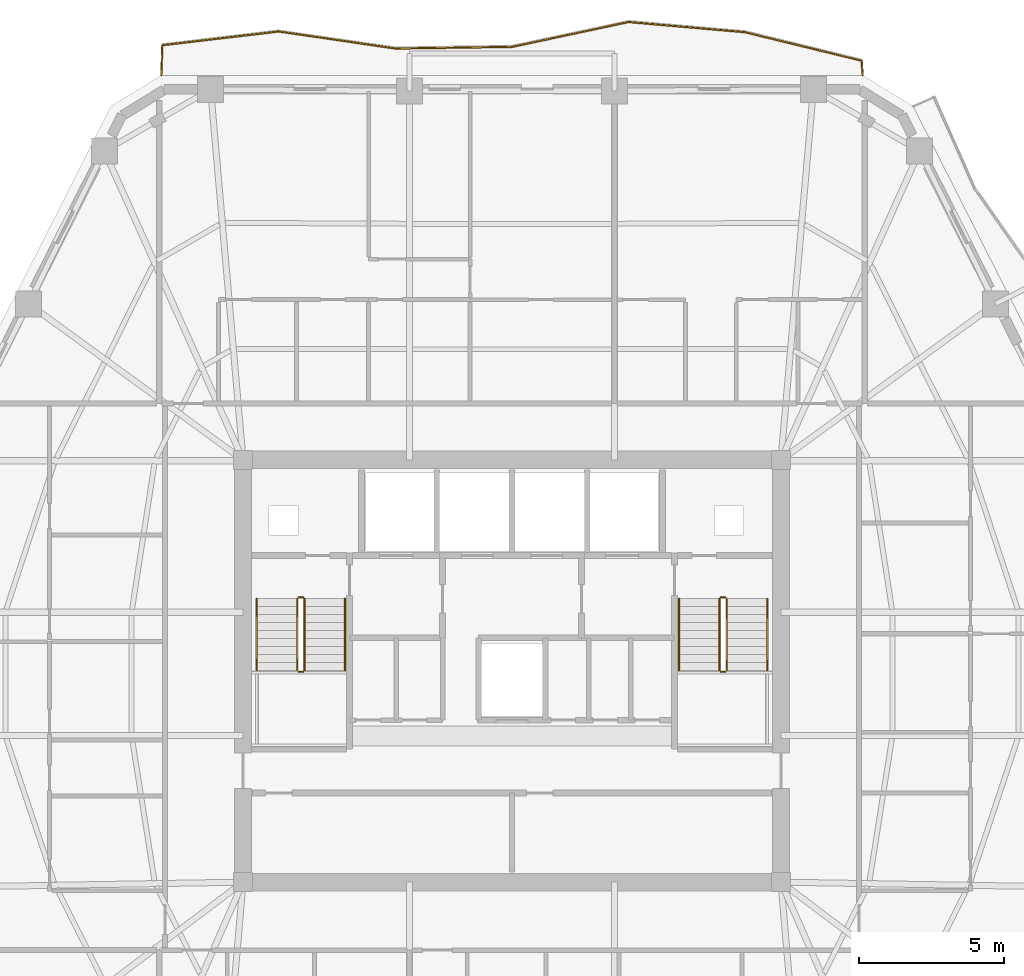
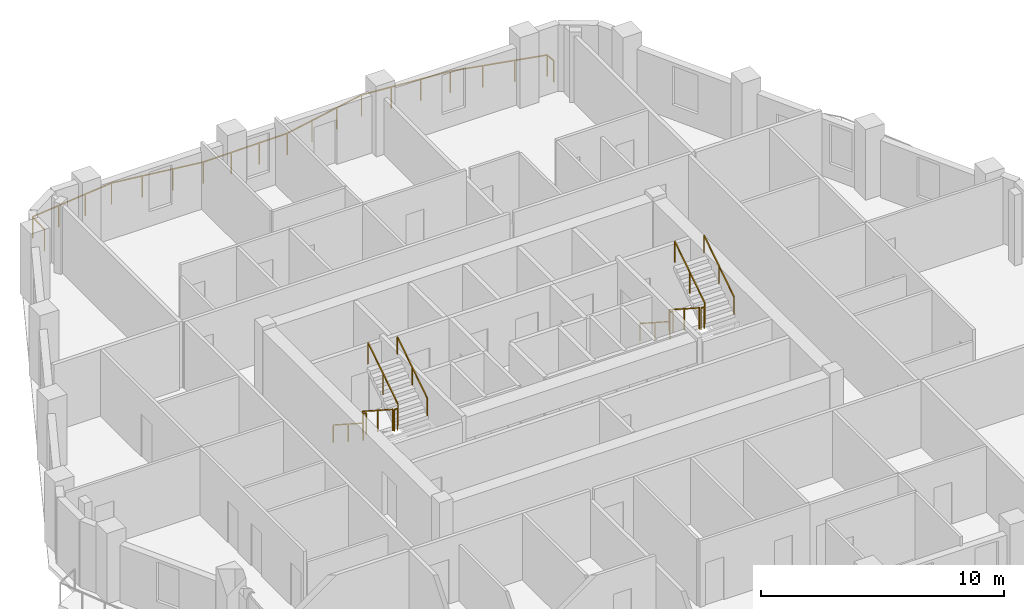
# One storey, part 10 of 11: 13 railings.
"""IFC4 building model written with IfcOpenShell, lengths in metres."""

from ifc_helpers import new_model, si_unit, direction, frame, origin, origin_2d, place, context, subcontext, project, spatial, rectangle, extrude, material, type_object, element, save


model = new_model("IFC4")

# Units and contexts
model_context = context("Model", 3, precision=1e-05, world=origin(), true_north=direction((0.0, 1.0)))
body_context = subcontext(model_context, "Body", "Model", "MODEL_VIEW")
ifc_project = project(units=[si_unit("LENGTHUNIT", "METRE"), si_unit("AREAUNIT", "SQUARE_METRE"), si_unit("VOLUMEUNIT", "CUBIC_METRE"), si_unit("PLANEANGLEUNIT", "RADIAN"), si_unit("MASSUNIT", "GRAM", prefix="KILO")], contexts=[model_context])

# Site, building, storey
site_placement = place(None, origin())
site = spatial("IfcSite", under=ifc_project, at=site_placement, CompositionType="ELEMENT")
building_placement = place(site_placement, origin())
building = spatial("IfcBuilding", under=site, at=building_placement, Name="Cinnabar Lancet Tower", CompositionType="ELEMENT")
storey_placement = place(building_placement, frame((0.0, 0.0, 175.449951171875)))
storey = spatial("IfcBuildingStorey", under=building, at=storey_placement, Name="L46", CompositionType="ELEMENT", Elevation=175.449951171875)

# Railings
ifc_material_1 = material(Name="Laminated safety glass and bronze stainless steel balustrade", Category="steel")
railing_type_1 = type_object("IfcRailingType", Name="ENV-RLG-BAL-1100", PredefinedType="BALUSTRADE", material=ifc_material_1)
railing_1_placement = place(storey_placement, frame((44.528076171875, 46.5, 0.0)))
element("IfcRailing", 1, at=railing_1_placement, inside=storey, type_object=railing_type_1, Name="L46 Face 4 Wave Balcony Balustrade", PredefinedType="BALUSTRADE", context=body_context, shape_type="SweptSolid", body=[
    extrude(rectangle(XDim=0.048095703125, YDim=0.048095703125, at=origin_2d()), frame((0.0, 0.0, 1.076171875), z_axis=(-0.069598262849, 0.997575100836, 0.0), x_axis=(-0.997575100836, -0.069598262849, 0.0)), (0.0, 0.0, 1.0), 0.505126953125),
    extrude(rectangle(XDim=0.048095703125, YDim=0.048095703125, at=origin_2d()), frame((-0.03515625, 0.50390625, 1.076171875), z_axis=(-0.971371866242, 0.237564091296, 0.0), x_axis=(-0.237564091296, -0.971371866242, 0.0)), (0.0, 0.0, 1.0), 4.15087890625),
    extrude(rectangle(XDim=0.048095703125, YDim=0.048095703125, at=origin_2d()), frame((-4.067138671875, 1.489990234375, 1.076171875), z_axis=(-0.996185131452, 0.087265020905, 0.0), x_axis=(-0.087265020905, -0.996185131452, 0.0)), (0.0, 0.0, 1.0), 4.04541015625),
    extrude(rectangle(XDim=0.048095703125, YDim=0.048095703125, at=origin_2d()), frame((-8.09716796875, 1.843017578125, 1.076171875), z_axis=(-0.977984939423, -0.20867548553, 0.0), x_axis=(0.20867548553, -0.977984939423, 0.0)), (0.0, 0.0, 1.0), 4.121826171875),
    extrude(rectangle(XDim=0.048095703125, YDim=0.048095703125, at=origin_2d()), frame((-12.128173828125, 0.98291015625, 1.076171875), z_axis=(-0.999900383044, -0.014114672801, 0.0), x_axis=(0.014114672801, -0.999900383044, 0.0)), (0.0, 0.0, 1.0), 4.0302734375),
    extrude(rectangle(XDim=0.048095703125, YDim=0.048095703125, at=origin_2d()), frame((-16.157958984375, 0.926025390625, 1.076171875), z_axis=(-0.98945457134, 0.144843540605, 0.0), x_axis=(-0.144843540605, -0.98945457134, 0.0)), (0.0, 0.0, 1.0), 4.073974609375),
    extrude(rectangle(XDim=0.048095703125, YDim=0.048095703125, at=origin_2d()), frame((-20.18896484375, 1.51611328125, 1.076171875), z_axis=(-0.993105392417, -0.117224910122, 0.0), x_axis=(0.117224910122, -0.993105392417, 0.0)), (0.0, 0.0, 1.0), 4.061279296875),
    extrude(rectangle(XDim=0.048095703125, YDim=0.048095703125, at=origin_2d()), frame((-24.22216796875, 1.0400390625, 1.076171875), z_axis=(-0.032611752407, -0.999468095341, 0.0), x_axis=(0.999468095341, -0.032611752407, 0.0)), (0.0, 0.0, 1.0), 1.04052734375),
    extrude(rectangle(XDim=0.0419921875, YDim=0.0419921875, at=origin_2d()), origin(), (0.0, 0.0, 1.0), 1.052001953125),
    extrude(rectangle(XDim=0.0419921875, YDim=0.0419921875, at=origin_2d()), frame((-0.03515625, 0.50390625, 0.0)), (0.0, 0.0, 1.0), 1.052001953125),
    extrude(rectangle(XDim=0.0419921875, YDim=0.0419921875, at=origin_2d()), frame((-1.379150390625, 0.83251953125, 0.0)), (0.0, 0.0, 1.0), 1.052001953125),
    extrude(rectangle(XDim=0.0419921875, YDim=0.0419921875, at=origin_2d()), frame((-2.72314453125, 1.161376953125, 0.0)), (0.0, 0.0, 1.0), 1.052001953125),
    extrude(rectangle(XDim=0.0419921875, YDim=0.0419921875, at=origin_2d()), frame((-4.067138671875, 1.489990234375, 0.0)), (0.0, 0.0, 1.0), 1.052001953125),
    extrude(rectangle(XDim=0.0419921875, YDim=0.0419921875, at=origin_2d()), frame((-5.410400390625, 1.607666015625, 0.0)), (0.0, 0.0, 1.0), 1.052001953125),
    extrude(rectangle(XDim=0.0419921875, YDim=0.0419921875, at=origin_2d()), frame((-6.75390625, 1.725341796875, 0.0)), (0.0, 0.0, 1.0), 1.052001953125),
    extrude(rectangle(XDim=0.0419921875, YDim=0.0419921875, at=origin_2d()), frame((-8.09716796875, 1.843017578125, 0.0)), (0.0, 0.0, 1.0), 1.052001953125),
    extrude(rectangle(XDim=0.0419921875, YDim=0.0419921875, at=origin_2d()), frame((-9.44091796875, 1.556396484375, 0.0)), (0.0, 0.0, 1.0), 1.052001953125),
    extrude(rectangle(XDim=0.0419921875, YDim=0.0419921875, at=origin_2d()), frame((-10.784423828125, 1.26953125, 0.0)), (0.0, 0.0, 1.0), 1.052001953125),
    extrude(rectangle(XDim=0.0419921875, YDim=0.0419921875, at=origin_2d()), frame((-12.128173828125, 0.98291015625, 0.0)), (0.0, 0.0, 1.0), 1.052001953125),
    extrude(rectangle(XDim=0.0419921875, YDim=0.0419921875, at=origin_2d()), frame((-13.471435546875, 0.9638671875, 0.0)), (0.0, 0.0, 1.0), 1.052001953125),
    extrude(rectangle(XDim=0.0419921875, YDim=0.0419921875, at=origin_2d()), frame((-14.814697265625, 0.945068359375, 0.0)), (0.0, 0.0, 1.0), 1.052001953125),
    extrude(rectangle(XDim=0.0419921875, YDim=0.0419921875, at=origin_2d()), frame((-16.157958984375, 0.926025390625, 0.0)), (0.0, 0.0, 1.0), 1.052001953125),
    extrude(rectangle(XDim=0.0419921875, YDim=0.0419921875, at=origin_2d()), frame((-17.501708984375, 1.122802734375, 0.0)), (0.0, 0.0, 1.0), 1.052001953125),
    extrude(rectangle(XDim=0.0419921875, YDim=0.0419921875, at=origin_2d()), frame((-18.84521484375, 1.3193359375, 0.0)), (0.0, 0.0, 1.0), 1.052001953125),
    extrude(rectangle(XDim=0.0419921875, YDim=0.0419921875, at=origin_2d()), frame((-20.18896484375, 1.51611328125, 0.0)), (0.0, 0.0, 1.0), 1.052001953125),
    extrude(rectangle(XDim=0.0419921875, YDim=0.0419921875, at=origin_2d()), frame((-21.533447265625, 1.357421875, 0.0)), (0.0, 0.0, 1.0), 1.052001953125),
    extrude(rectangle(XDim=0.0419921875, YDim=0.0419921875, at=origin_2d()), frame((-22.877685546875, 1.19873046875, 0.0)), (0.0, 0.0, 1.0), 1.052001953125),
    extrude(rectangle(XDim=0.0419921875, YDim=0.0419921875, at=origin_2d()), frame((-24.22216796875, 1.0400390625, 0.0)), (0.0, 0.0, 1.0), 1.052001953125),
    extrude(rectangle(XDim=0.0419921875, YDim=0.0419921875, at=origin_2d()), frame((-24.256103515625, 0.0, 0.0)), (0.0, 0.0, 1.0), 1.052001953125),
])
ifc_material_2 = material(Name="Painted galvanized steel balustrade", Category="steel")
railing_type_2 = type_object("IfcRailingType", Name="GUARD-STAIR", PredefinedType="GUARDRAIL", material=ifc_material_2)
railing_2_placement = place(storey_placement, frame((24.97509765625, 28.39990234375, 0.177490234375)))
element("IfcRailing", 2, at=railing_2_placement, inside=storey, type_object=railing_type_2, Name="L46 ST-1 stair guard 1", PredefinedType="GUARDRAIL", context=body_context, shape_type="SweptSolid", body=[
    extrude(rectangle(XDim=0.048095703125, YDim=0.048095703125, at=origin_2d()), frame((0.0, 0.0, 1.076171875), z_axis=(0.0, -0.84014559416, 0.542360932049), x_axis=(1.0, 0.0, 0.0)), (0.0, 0.0, 1.0), 2.94580078125),
    extrude(rectangle(XDim=0.0419921875, YDim=0.0419921875, at=origin_2d()), origin(), (0.0, 0.0, 1.0), 1.052001953125),
    extrude(rectangle(XDim=0.0419921875, YDim=0.0419921875, at=origin_2d()), frame((0.0, -1.2373046875, 0.798828125)), (0.0, 0.0, 1.0), 1.052001953125),
    extrude(rectangle(XDim=0.0419921875, YDim=0.0419921875, at=origin_2d()), frame((0.0, -2.474853515625, 1.59765625)), (0.0, 0.0, 1.0), 1.052001953125),
])
railing_3_placement = place(storey_placement, frame((25.02490234375, 25.875, 1.775146484375)))
element("IfcRailing", 3, at=railing_3_placement, inside=storey, type_object=railing_type_2, Name="L46 ST-1 stair guard 2", PredefinedType="GUARDRAIL", context=body_context, shape_type="SweptSolid", body=[
    extrude(rectangle(XDim=0.048095703125, YDim=0.048095703125, at=origin_2d()), frame((0.0, 0.0, 1.076171875), z_axis=(1.0, 0.0, 0.0), x_axis=(0.0, 1.0, 0.0)), (0.0, 0.0, 1.0), 0.150146484375),
    extrude(rectangle(XDim=0.0419921875, YDim=0.0419921875, at=origin_2d()), origin(), (0.0, 0.0, 1.0), 1.052001953125),
    extrude(rectangle(XDim=0.0419921875, YDim=0.0419921875, at=origin_2d()), frame((0.150146484375, 0.0, 0.0)), (0.0, 0.0, 1.0), 1.052001953125),
])
railing_4_placement = place(storey_placement, frame((25.22509765625, 25.925048828125, 1.95263671875)))
element("IfcRailing", 4, at=railing_4_placement, inside=storey, type_object=railing_type_2, Name="L46 ST-1 stair guard 3", PredefinedType="GUARDRAIL", context=body_context, shape_type="SweptSolid", body=[
    extrude(rectangle(XDim=0.048095703125, YDim=0.048095703125, at=origin_2d()), frame((0.0, 0.0, 1.076171875), z_axis=(0.0, 0.840183358697, 0.542302428327), x_axis=(-1.0, 0.0, 0.0)), (0.0, 0.0, 1.0), 2.945556640625),
    extrude(rectangle(XDim=0.0419921875, YDim=0.0419921875, at=origin_2d()), origin(), (0.0, 0.0, 1.0), 1.052001953125),
    extrude(rectangle(XDim=0.0419921875, YDim=0.0419921875, at=origin_2d()), frame((0.0, 1.2373046875, 0.798828125)), (0.0, 0.0, 1.0), 1.052001953125),
    extrude(rectangle(XDim=0.0419921875, YDim=0.0419921875, at=origin_2d()), frame((0.0, 2.474853515625, 1.597412109375)), (0.0, 0.0, 1.0), 1.052001953125),
])
railing_5_placement = place(storey_placement, frame((25.02490234375, 28.449951171875, 0.0)))
element("IfcRailing", 5, at=railing_5_placement, inside=storey, type_object=railing_type_2, Name="L46 ST-1 stair guard 4", PredefinedType="GUARDRAIL", context=body_context, shape_type="SweptSolid", body=[
    extrude(rectangle(XDim=0.048095703125, YDim=0.048095703125, at=origin_2d()), frame((0.0, 0.0, 1.076171875), z_axis=(1.0, 0.0, 0.0), x_axis=(0.0, 1.0, 0.0)), (0.0, 0.0, 1.0), 0.150146484375),
    extrude(rectangle(XDim=0.0419921875, YDim=0.0419921875, at=origin_2d()), origin(), (0.0, 0.0, 1.0), 1.052001953125),
    extrude(rectangle(XDim=0.0419921875, YDim=0.0419921875, at=origin_2d()), frame((0.150146484375, 0.0, 0.0)), (0.0, 0.0, 1.0), 1.052001953125),
])
railing_6_placement = place(storey_placement, frame((39.574951171875, 28.39990234375, 0.177490234375)))
element("IfcRailing", 6, at=railing_6_placement, inside=storey, type_object=railing_type_2, Name="L46 ST-2 stair guard 1", PredefinedType="GUARDRAIL", context=body_context, shape_type="SweptSolid", body=[
    extrude(rectangle(XDim=0.048095703125, YDim=0.048095703125, at=origin_2d()), frame((0.0, 0.0, 1.076171875), z_axis=(0.0, -0.84014559416, 0.542360932049), x_axis=(1.0, 0.0, 0.0)), (0.0, 0.0, 1.0), 2.94580078125),
    extrude(rectangle(XDim=0.0419921875, YDim=0.0419921875, at=origin_2d()), origin(), (0.0, 0.0, 1.0), 1.052001953125),
    extrude(rectangle(XDim=0.0419921875, YDim=0.0419921875, at=origin_2d()), frame((0.0, -1.2373046875, 0.798828125)), (0.0, 0.0, 1.0), 1.052001953125),
    extrude(rectangle(XDim=0.0419921875, YDim=0.0419921875, at=origin_2d()), frame((0.0, -2.474853515625, 1.59765625)), (0.0, 0.0, 1.0), 1.052001953125),
])
railing_7_placement = place(storey_placement, frame((39.625, 25.875, 1.775146484375)))
element("IfcRailing", 7, at=railing_7_placement, inside=storey, type_object=railing_type_2, Name="L46 ST-2 stair guard 2", PredefinedType="GUARDRAIL", context=body_context, shape_type="SweptSolid", body=[
    extrude(rectangle(XDim=0.048095703125, YDim=0.048095703125, at=origin_2d()), frame((0.0, 0.0, 1.076171875), z_axis=(1.0, 0.0, 0.0), x_axis=(0.0, 1.0, 0.0)), (0.0, 0.0, 1.0), 0.14990234375),
    extrude(rectangle(XDim=0.0419921875, YDim=0.0419921875, at=origin_2d()), origin(), (0.0, 0.0, 1.0), 1.052001953125),
    extrude(rectangle(XDim=0.0419921875, YDim=0.0419921875, at=origin_2d()), frame((0.14990234375, 0.0, 0.0)), (0.0, 0.0, 1.0), 1.052001953125),
])
railing_8_placement = place(storey_placement, frame((39.824951171875, 25.925048828125, 1.95263671875)))
element("IfcRailing", 8, at=railing_8_placement, inside=storey, type_object=railing_type_2, Name="L46 ST-2 stair guard 3", PredefinedType="GUARDRAIL", context=body_context, shape_type="SweptSolid", body=[
    extrude(rectangle(XDim=0.048095703125, YDim=0.048095703125, at=origin_2d()), frame((0.0, 0.0, 1.076171875), z_axis=(0.0, 0.840183358697, 0.542302428327), x_axis=(-1.0, 0.0, 0.0)), (0.0, 0.0, 1.0), 2.945556640625),
    extrude(rectangle(XDim=0.0419921875, YDim=0.0419921875, at=origin_2d()), origin(), (0.0, 0.0, 1.0), 1.052001953125),
    extrude(rectangle(XDim=0.0419921875, YDim=0.0419921875, at=origin_2d()), frame((0.0, 1.2373046875, 0.798828125)), (0.0, 0.0, 1.0), 1.052001953125),
    extrude(rectangle(XDim=0.0419921875, YDim=0.0419921875, at=origin_2d()), frame((0.0, 2.474853515625, 1.597412109375)), (0.0, 0.0, 1.0), 1.052001953125),
])
railing_9_placement = place(storey_placement, frame((39.625, 28.449951171875, 0.0)))
element("IfcRailing", 9, at=railing_9_placement, inside=storey, type_object=railing_type_2, Name="L46 ST-2 stair guard 4", PredefinedType="GUARDRAIL", context=body_context, shape_type="SweptSolid", body=[
    extrude(rectangle(XDim=0.048095703125, YDim=0.048095703125, at=origin_2d()), frame((0.0, 0.0, 1.076171875), z_axis=(1.0, 0.0, 0.0), x_axis=(0.0, 1.0, 0.0)), (0.0, 0.0, 1.0), 0.14990234375),
    extrude(rectangle(XDim=0.0419921875, YDim=0.0419921875, at=origin_2d()), origin(), (0.0, 0.0, 1.0), 1.052001953125),
    extrude(rectangle(XDim=0.0419921875, YDim=0.0419921875, at=origin_2d()), frame((0.14990234375, 0.0, 0.0)), (0.0, 0.0, 1.0), 1.052001953125),
])
ifc_material_3 = material(Name="Brushed stainless steel handrail", Category="steel")
railing_type_3 = type_object("IfcRailingType", Name="HANDRAIL-STAIR", PredefinedType="HANDRAIL", material=ifc_material_3)
railing_10_placement = place(storey_placement, frame((23.574951171875, 28.39990234375, 0.177490234375)))
element("IfcRailing", 10, at=railing_10_placement, inside=storey, type_object=railing_type_3, Name="L46 ST-1 stair handrail 1", PredefinedType="HANDRAIL", context=body_context, shape_type="SweptSolid", body=[
    extrude(rectangle(XDim=0.048095703125, YDim=0.048095703125, at=origin_2d()), frame((0.0, 0.0, 0.8759765625), z_axis=(0.0, -0.84014559416, 0.542360932049), x_axis=(1.0, 0.0, 0.0)), (0.0, 0.0, 1.0), 2.94580078125),
    extrude(rectangle(XDim=0.0419921875, YDim=0.0419921875, at=origin_2d()), origin(), (0.0, 0.0, 1.0), 0.851806640625),
    extrude(rectangle(XDim=0.0419921875, YDim=0.0419921875, at=origin_2d()), frame((0.0, -1.2373046875, 0.798828125)), (0.0, 0.0, 1.0), 0.851806640625),
    extrude(rectangle(XDim=0.0419921875, YDim=0.0419921875, at=origin_2d()), frame((0.0, -2.474853515625, 1.59765625)), (0.0, 0.0, 1.0), 0.851806640625),
])
railing_11_placement = place(storey_placement, frame((26.625, 25.925048828125, 1.95263671875)))
element("IfcRailing", 11, at=railing_11_placement, inside=storey, type_object=railing_type_3, Name="L46 ST-1 stair handrail 2", PredefinedType="HANDRAIL", context=body_context, shape_type="SweptSolid", body=[
    extrude(rectangle(XDim=0.048095703125, YDim=0.048095703125, at=origin_2d()), frame((0.0, 0.0, 0.8759765625), z_axis=(0.0, 0.840183358697, 0.542302428327), x_axis=(-1.0, 0.0, 0.0)), (0.0, 0.0, 1.0), 2.945556640625),
    extrude(rectangle(XDim=0.0419921875, YDim=0.0419921875, at=origin_2d()), origin(), (0.0, 0.0, 1.0), 0.851806640625),
    extrude(rectangle(XDim=0.0419921875, YDim=0.0419921875, at=origin_2d()), frame((0.0, 1.2373046875, 0.798828125)), (0.0, 0.0, 1.0), 0.851806640625),
    extrude(rectangle(XDim=0.0419921875, YDim=0.0419921875, at=origin_2d()), frame((0.0, 2.474853515625, 1.597412109375)), (0.0, 0.0, 1.0), 0.851806640625),
])
railing_12_placement = place(storey_placement, frame((38.175048828125, 28.39990234375, 0.177490234375)))
element("IfcRailing", 12, at=railing_12_placement, inside=storey, type_object=railing_type_3, Name="L46 ST-2 stair handrail 1", PredefinedType="HANDRAIL", context=body_context, shape_type="SweptSolid", body=[
    extrude(rectangle(XDim=0.048095703125, YDim=0.048095703125, at=origin_2d()), frame((0.0, 0.0, 0.8759765625), z_axis=(0.0, -0.84014559416, 0.542360932049), x_axis=(1.0, 0.0, 0.0)), (0.0, 0.0, 1.0), 2.94580078125),
    extrude(rectangle(XDim=0.0419921875, YDim=0.0419921875, at=origin_2d()), origin(), (0.0, 0.0, 1.0), 0.851806640625),
    extrude(rectangle(XDim=0.0419921875, YDim=0.0419921875, at=origin_2d()), frame((0.0, -1.2373046875, 0.798828125)), (0.0, 0.0, 1.0), 0.851806640625),
    extrude(rectangle(XDim=0.0419921875, YDim=0.0419921875, at=origin_2d()), frame((0.0, -2.474853515625, 1.59765625)), (0.0, 0.0, 1.0), 0.851806640625),
])
railing_13_placement = place(storey_placement, frame((41.22509765625, 25.925048828125, 1.95263671875)))
element("IfcRailing", 13, at=railing_13_placement, inside=storey, type_object=railing_type_3, Name="L46 ST-2 stair handrail 2", PredefinedType="HANDRAIL", context=body_context, shape_type="SweptSolid", body=[
    extrude(rectangle(XDim=0.048095703125, YDim=0.048095703125, at=origin_2d()), frame((0.0, 0.0, 0.8759765625), z_axis=(0.0, 0.840183358697, 0.542302428327), x_axis=(-1.0, 0.0, 0.0)), (0.0, 0.0, 1.0), 2.945556640625),
    extrude(rectangle(XDim=0.0419921875, YDim=0.0419921875, at=origin_2d()), origin(), (0.0, 0.0, 1.0), 0.851806640625),
    extrude(rectangle(XDim=0.0419921875, YDim=0.0419921875, at=origin_2d()), frame((0.0, 1.2373046875, 0.798828125)), (0.0, 0.0, 1.0), 0.851806640625),
    extrude(rectangle(XDim=0.0419921875, YDim=0.0419921875, at=origin_2d()), frame((0.0, 2.474853515625, 1.597412109375)), (0.0, 0.0, 1.0), 0.851806640625),
])

save(model, "model.ifc")
